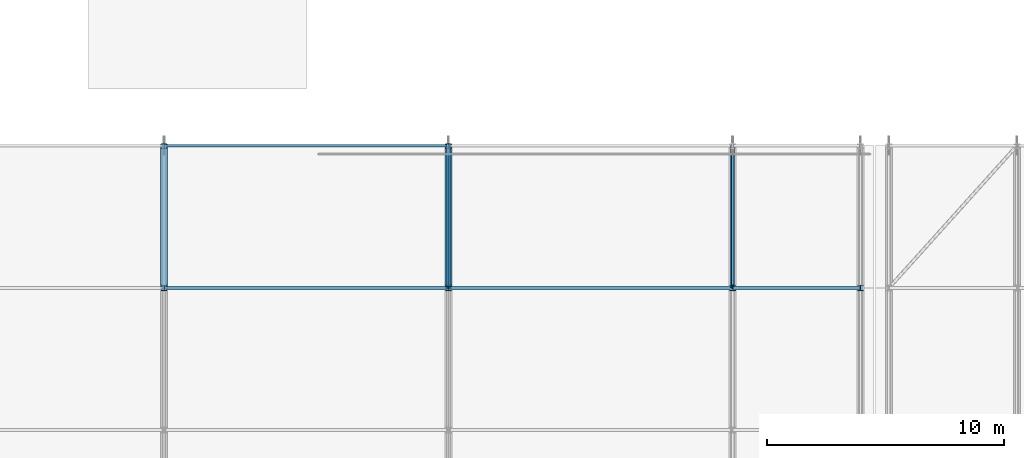
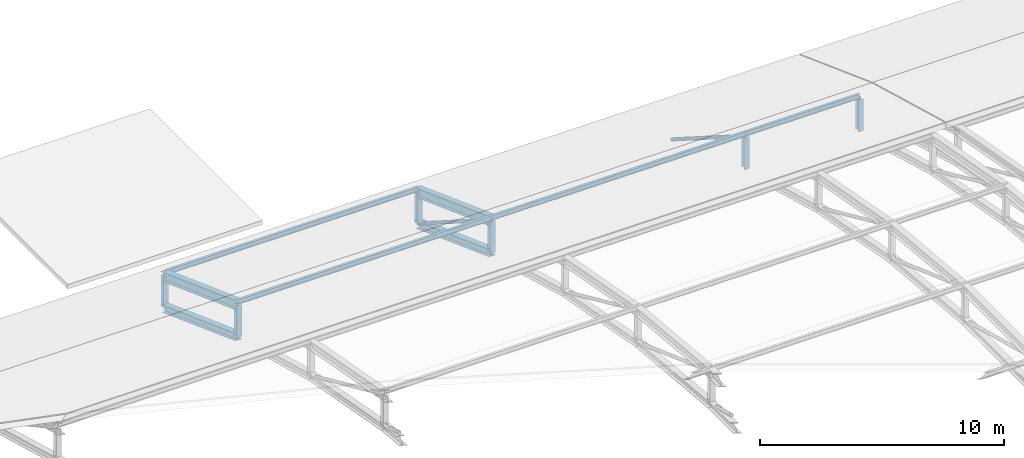
# One storey, part 45 of 204: 16 members.
"""IFC4 building model written with IfcOpenShell, lengths in metres."""

from ifc_helpers import new_model, si_unit, direction, frame, origin, origin_2d, place, context, subcontext, project, spatial, hollow_circle, i_section, extrude, material, material_profile, profile_set, type_object, element, save


model = new_model("IFC4")

# Units and contexts
model_context = context("Model", 3, precision=1e-05, world=origin(), true_north=direction((0.0, 1.0)))
body_context = subcontext(model_context, "Body", "Model", "MODEL_VIEW")
ifc_project = project(units=[si_unit("LENGTHUNIT", "METRE"), si_unit("AREAUNIT", "SQUARE_METRE"), si_unit("VOLUMEUNIT", "CUBIC_METRE"), si_unit("PLANEANGLEUNIT", "RADIAN"), si_unit("MASSUNIT", "GRAM", prefix="KILO")], contexts=[model_context])

# Site, building, storey
site_placement = place(None, origin())
site = spatial("IfcSite", under=ifc_project, at=site_placement, CompositionType="ELEMENT")
building_placement = place(site_placement, origin())
building = spatial("IfcBuilding", under=site, at=building_placement, Name="Zilviju Railside Exhibition Hall", CompositionType="ELEMENT")
storey_placement = place(building_placement, frame((0.0, 0.0, 21.0)))
storey = spatial("IfcBuildingStorey", under=building, at=storey_placement, Name="RF", CompositionType="ELEMENT", Elevation=21.0)

# Members
ifc_material = material(Name="Steel S355J2", Category="steel")
ifc_material_profile_1 = material_profile(ifc_material, hollow_circle(Radius=0.084228515625, WallThickness=0.008056640625, at=origin_2d()), Name="CHS 168.3x8.0")
ifc_profile_set_1 = profile_set([ifc_material_profile_1], Name="Steel S355J2")
member_type_1 = type_object("IfcMemberType", Name="TR-BR-CHS168", PredefinedType="BRACE", material=ifc_profile_set_1)
for number, where, z_axis, x_axis, name in (
    (1, (108.0, 48.0, -3.987548828125), (0.0, 0.844023315733, -0.536306481872), (-1.0, 0.0, 0.0), "V1 Parabolic Arch Web Diagonal X=108.0 P9"),
    (2, (120.0, 48.0, -3.987548828125), (0.0, 0.844023315733, -0.536306481872), (-1.0, 0.0, 0.0), "V1 Parabolic Arch Web Diagonal X=120.0 P9"),
):
    element("IfcMember", number, at=place(storey_placement, frame(where, z_axis=z_axis, x_axis=x_axis)), inside=storey, type_object=member_type_1, Name=name, PredefinedType="BRACE", context=body_context, shape_type="SweptSolid", body=[
        extrude(hollow_circle(Radius=0.084228515625, WallThickness=0.008056640625, at=origin_2d()), origin(), (0.0, 0.0, 1.0), 7.10888671875),
    ])
ifc_material_profile_2 = material_profile(ifc_material, i_section(OverallWidth=0.300048828125, OverallDepth=0.360107421875, WebThickness=0.012451171875, FlangeThickness=0.0224609375, at=origin_2d()), Name="HEB 360")
ifc_profile_set_2 = profile_set([ifc_material_profile_2], Name="Steel S355J2")
member_type_2 = type_object("IfcMemberType", Name="TR-CH-HEB360", PredefinedType="CHORD", material=ifc_profile_set_2)
for number, where, z_axis, x_axis, name in (
    (3, (96.0, 48.0, -5.587646484375), (0.0, 0.938247917098, -0.345963648468), (-1.0, 0.0, 0.0), "V1 Parabolic Arch Bottom Chord X=96.0 P9"),
    (4, (108.0, 48.0, -5.587646484375), (0.0, 0.938247917098, -0.345963648468), (-1.0, 0.0, 0.0), "V1 Parabolic Arch Bottom Chord X=108.0 P9"),
):
    element("IfcMember", number, at=place(storey_placement, frame(where, z_axis=z_axis, x_axis=x_axis)), inside=storey, type_object=member_type_2, Name=name, PredefinedType="CHORD", context=body_context, shape_type="SweptSolid", body=[
        extrude(i_section(OverallWidth=0.300048828125, OverallDepth=0.360107421875, WebThickness=0.012451171875, FlangeThickness=0.0224609375, at=origin_2d()), origin(), (0.0, 0.0, 1.0), 6.39501953125),
    ])
ifc_material_profile_3 = material_profile(ifc_material, i_section(OverallWidth=0.300048828125, OverallDepth=0.449951171875, WebThickness=0.013916015625, FlangeThickness=0.02587890625, at=origin_2d()), Name="HEB 450")
ifc_profile_set_3 = profile_set([ifc_material_profile_3], Name="Steel S355J2")
member_type_3 = type_object("IfcMemberType", Name="TR-CH-HEB450", PredefinedType="CHORD", material=ifc_profile_set_3)
for number, where, z_axis, x_axis, name in (
    (5, (96.0, 48.0, -3.987548828125), (0.0, 0.938247917098, -0.345963648468), (-1.0, 0.0, 0.0), "V1 Parabolic Arch Top Chord X=96.0 P9"),
    (6, (108.0, 48.0, -3.987548828125), (0.0, 0.938247917098, -0.345963648468), (-1.0, 0.0, 0.0), "V1 Parabolic Arch Top Chord X=108.0 P9"),
):
    element("IfcMember", number, at=place(storey_placement, frame(where, z_axis=z_axis, x_axis=x_axis)), inside=storey, type_object=member_type_3, Name=name, PredefinedType="CHORD", context=body_context, shape_type="SweptSolid", body=[
        extrude(i_section(OverallWidth=0.300048828125, OverallDepth=0.449951171875, WebThickness=0.013916015625, FlangeThickness=0.02587890625, at=origin_2d()), origin(), (0.0, 0.0, 1.0), 6.39501953125),
    ])
ifc_material_profile_4 = material_profile(ifc_material, i_section(OverallWidth=0.239990234375, OverallDepth=0.22998046875, WebThickness=0.007568359375, FlangeThickness=0.011962890625, at=origin_2d()), Name="HEA 240")
ifc_profile_set_4 = profile_set([ifc_material_profile_4], Name="Steel S355J2")
member_type_4 = type_object("IfcMemberType", Name="TR-POST-HEA240", PredefinedType="POST", material=ifc_profile_set_4)
for number, where, z_axis, x_axis, name in (
    (7, (96.0, 48.0, -5.587646484375), (0.0, 0.0, 1.0), (1.0, 0.0, 0.0), "V1 Parabolic Arch Web Post X=96.0 N8"),
    (8, (96.0, 54.0, -7.800048828125), (0.0, 0.0, 1.0), (1.0, 0.0, 0.0), "V1 Parabolic Arch Web Post X=96.0 N9"),
    (9, (108.0, 48.0, -5.587646484375), (0.0, 0.0, 1.0), (1.0, 0.0, 0.0), "V1 Parabolic Arch Web Post X=108.0 N8"),
    (10, (108.0, 54.0, -7.800048828125), (0.0, 0.0, 1.0), (1.0, 0.0, 0.0), "V1 Parabolic Arch Web Post X=108.0 N9"),
    (11, (120.0, 48.0, -5.587646484375), (0.0, 0.0, 1.0), (1.0, 0.0, 0.0), "V1 Parabolic Arch Web Post X=120.0 N8"),
    (12, (125.39990234375, 48.0, -5.587646484375), (0.0, 0.0, 1.0), (1.0, 0.0, 0.0), "V1 Parabolic Arch Web Post X=125.4 N8"),
):
    element("IfcMember", number, at=place(storey_placement, frame(where, z_axis=z_axis, x_axis=x_axis)), inside=storey, type_object=member_type_4, Name=name, PredefinedType="POST", context=body_context, shape_type="SweptSolid", body=[
        extrude(i_section(OverallWidth=0.239990234375, OverallDepth=0.22998046875, WebThickness=0.007568359375, FlangeThickness=0.011962890625, at=origin_2d()), origin(), (0.0, 0.0, 1.0), 1.60009765625),
    ])
ifc_material_profile_5 = material_profile(ifc_material, i_section(OverallWidth=0.1201171875, OverallDepth=0.239990234375, WebThickness=0.006103515625, FlangeThickness=0.009765625, at=origin_2d()), Name="IPE 240")
ifc_profile_set_5 = profile_set([ifc_material_profile_5], Name="Steel S355J2")
member_type_5 = type_object("IfcMemberType", Name="TR-PUR-IPE240", PredefinedType="PURLIN", material=ifc_profile_set_5)
for number, where, z_axis, x_axis, name in (
    (13, (96.0, 48.0, -3.864990234375), (1.0, 0.0, 0.0), (0.0, 1.0, 0.0), "V1 Barrel Vault Roof Purlin Y=48.0 (96.0..108.0)"),
    (14, (96.0, 54.0, -6.05517578125), (1.0, 0.0, 0.0), (0.0, 1.0, 0.0), "V1 Barrel Vault Roof Purlin Y=54.0 (96.0..108.0)"),
    (15, (108.0, 48.0, -3.864990234375), (1.0, 0.0, 0.0), (0.0, 1.0, 0.0), "V1 Barrel Vault Roof Purlin Y=48.0 (108.0..120.0)"),
):
    element("IfcMember", number, at=place(storey_placement, frame(where, z_axis=z_axis, x_axis=x_axis)), inside=storey, type_object=member_type_5, Name=name, PredefinedType="PURLIN", context=body_context, shape_type="SweptSolid", body=[
        extrude(i_section(OverallWidth=0.1201171875, OverallDepth=0.239990234375, WebThickness=0.006103515625, FlangeThickness=0.009765625, at=origin_2d()), origin(), (0.0, 0.0, 1.0), 12.0),
    ])
member_placement = place(storey_placement, frame((120.0, 48.0, -3.864990234375), z_axis=(1.0, 0.0, 0.0), x_axis=(0.0, 1.0, 0.0)))
element("IfcMember", 16, at=member_placement, inside=storey, type_object=member_type_5, Name="V1 Barrel Vault Roof Purlin Y=48.0 (120.0..125.4)", PredefinedType="PURLIN", context=body_context, shape_type="SweptSolid", body=[
    extrude(i_section(OverallWidth=0.1201171875, OverallDepth=0.239990234375, WebThickness=0.006103515625, FlangeThickness=0.009765625, at=origin_2d()), origin(), (0.0, 0.0, 1.0), 5.39990234375),
])

save(model, "model.ifc")
